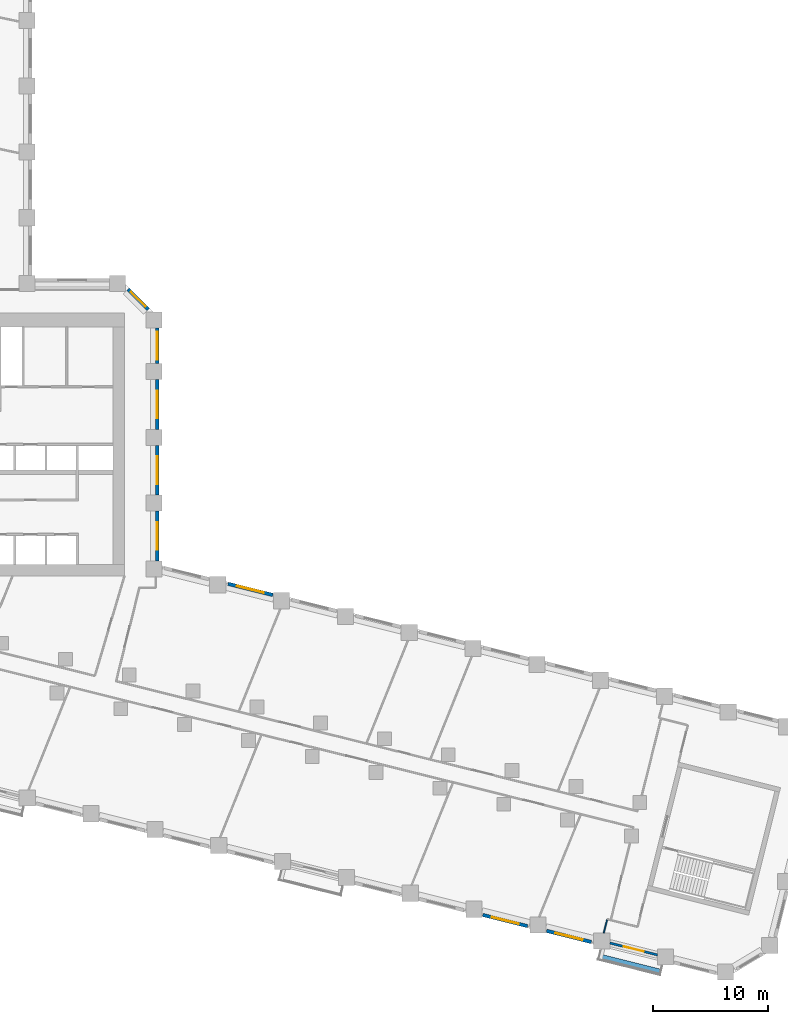
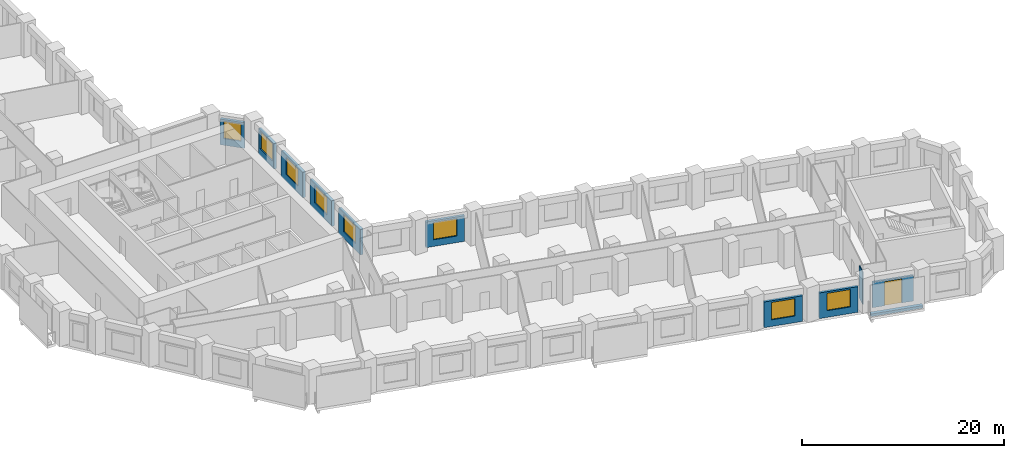
# One storey, part 6 of 11: 11 walls, 8 windows, 1 door, 9 openings.
"""IFC4 building model written with IfcOpenShell, lengths in metres."""

from ifc_helpers import new_model, si_unit, direction, frame, frame_2d, origin, place, context, subcontext, project, spatial, rectangle, extrude, material, layer, layer_set, type_object, element, fill, save


model = new_model("IFC4")

# Units and contexts
model_context = context("Model", 3, precision=1e-05, world=origin(), true_north=direction((0.0, 1.0)))
body_context = subcontext(model_context, "Body", "Model", "MODEL_VIEW")
ifc_project = project(units=[si_unit("LENGTHUNIT", "METRE"), si_unit("AREAUNIT", "SQUARE_METRE"), si_unit("VOLUMEUNIT", "CUBIC_METRE"), si_unit("PLANEANGLEUNIT", "RADIAN"), si_unit("MASSUNIT", "GRAM", prefix="KILO")], contexts=[model_context])

# Site, building, storey
site_placement = place(None, origin())
site = spatial("IfcSite", under=ifc_project, at=site_placement, CompositionType="ELEMENT")
building_placement = place(site_placement, origin())
building = spatial("IfcBuilding", under=site, at=building_placement, Name="Meshkara Civic Tower", CompositionType="ELEMENT")
storey_placement = place(building_placement, frame((0.0, 0.0, 37.199951171875)))
storey = spatial("IfcBuildingStorey", under=building, at=storey_placement, Name="L07", CompositionType="ELEMENT", Elevation=37.199951171875)

# Wall, opening, window
ifc_material_1 = material(Name="Insulated infill panel with bronze anodised aluminium cladding", Category="aluminium")
ifc_layer_1 = layer(ifc_material_1, 0.300048828125)
ifc_layer_set_1 = layer_set([ifc_layer_1], Name="EXTERNAL INFILL WALL 300")
wall_type_1 = type_object("IfcWallType", Name="EXTERNAL INFILL WALL 300", PredefinedType="SOLIDWALL", material=ifc_layer_set_1)
wall_1_placement = place(storey_placement, frame((43.659912109375, 12.4580078125, 0.0), z_axis=(0.0, 0.0, 1.0), x_axis=(-0.970300202301, 0.241903942538, 0.0)))
wall_1 = element("IfcWall", 1, at=wall_1_placement, inside=storey, type_object=wall_type_1, Name="External wall", PredefinedType="SOLIDWALL", context=body_context, shape_type="SweptSolid", body=[
    extrude(rectangle(XDim=4.001708984375, YDim=0.300048828125, at=frame_2d((2.0009765625, 0.0))), origin(), (0.0, 0.0, 1.0), 3.10009765625),
])
opening_1_placement = place(wall_1_placement, frame((0.801025390625, 0.0, 0.800048828125)))
opening_1 = element("IfcOpeningElement", 2, at=opening_1_placement, cuts=wall_1, Name="Opening W7", PredefinedType="OPENING", context=body_context, shape_type="SweptSolid", body=[
    extrude(rectangle(XDim=2.39990234375, YDim=2.10009765625, at=frame_2d((1.199951171875, 1.050048828125))), frame((0.0, 0.159912109375, 0.0), z_axis=(0.0, -1.0, 0.0), x_axis=(1.0, 0.0, 0.0)), (0.0, 0.0, 1.0), 0.320068359375),
])
ifc_material_2 = material(Name="Tinted double glazing", Category="glass")
window_type_1 = type_object("IfcWindowType", Name="WINDOW 2400x2100", PartitioningType="DOUBLE_PANEL_VERTICAL", PredefinedType="WINDOW", material=ifc_material_2)
window_1_placement = place(opening_1_placement, origin())
window_1 = element("IfcWindow", 3, at=window_1_placement, inside=storey, type_object=window_type_1, Name="Window", OverallHeight=2.10009765625, OverallWidth=2.39990234375, PartitioningType="DOUBLE_PANEL_VERTICAL", PredefinedType="WINDOW", context=body_context, shape_type="SweptSolid", body=[
    extrude(rectangle(XDim=2.39990234375, YDim=2.10009765625, at=frame_2d((1.199951171875, 1.050048828125))), frame((0.0, 0.030029296875, 0.0), z_axis=(0.0, -1.0, 0.0), x_axis=(1.0, 0.0, 0.0)), (0.0, 0.0, 1.0), 0.06005859375),
])
fill(opening_1, window_1)

wall_2_placement = place(storey_placement, frame((33.64990234375, 15.4189453125, 0.0), z_axis=(0.0, 0.0, 1.0), x_axis=(0.0, 1.0, 0.0)))
wall_2 = element("IfcWall", 4, at=wall_2_placement, inside=storey, type_object=wall_type_1, Name="External wall", PredefinedType="SOLIDWALL", context=body_context, shape_type="SweptSolid", body=[
    extrude(rectangle(XDim=4.300048828125, YDim=0.300048828125, at=frame_2d((2.14990234375, 0.0))), origin(), (0.0, 0.0, 1.0), 3.10009765625),
])
opening_2_placement = place(wall_2_placement, frame((0.949951171875, 0.0, 0.800048828125)))
opening_2 = element("IfcOpeningElement", 5, at=opening_2_placement, cuts=wall_2, Name="Opening W7", PredefinedType="OPENING", context=body_context, shape_type="SweptSolid", body=[
    extrude(rectangle(XDim=2.39990234375, YDim=2.10009765625, at=frame_2d((1.199951171875, 1.050048828125))), frame((0.0, 0.159912109375, 0.0), z_axis=(0.0, -1.0, 0.0), x_axis=(1.0, 0.0, 0.0)), (0.0, 0.0, 1.0), 0.320068359375),
])
window_2_placement = place(opening_2_placement, origin())
window_2 = element("IfcWindow", 6, at=window_2_placement, inside=storey, type_object=window_type_1, Name="Window", OverallHeight=2.10009765625, OverallWidth=2.39990234375, PartitioningType="DOUBLE_PANEL_VERTICAL", PredefinedType="WINDOW", context=body_context, shape_type="SweptSolid", body=[
    extrude(rectangle(XDim=2.39990234375, YDim=2.10009765625, at=frame_2d((1.199951171875, 1.050048828125))), frame((0.0, 0.030029296875, 0.0), z_axis=(0.0, -1.0, 0.0), x_axis=(1.0, 0.0, 0.0)), (0.0, 0.0, 1.0), 0.06005859375),
])
fill(opening_2, window_2)

wall_3_placement = place(storey_placement, frame((33.64990234375, 21.118896484375, 0.0), z_axis=(0.0, 0.0, 1.0), x_axis=(0.0, 1.0, 0.0)))
wall_3 = element("IfcWall", 7, at=wall_3_placement, inside=storey, type_object=wall_type_1, Name="External wall", PredefinedType="SOLIDWALL", context=body_context, shape_type="SweptSolid", body=[
    extrude(rectangle(XDim=4.300048828125, YDim=0.300048828125, at=frame_2d((2.14990234375, 0.0))), origin(), (0.0, 0.0, 1.0), 3.10009765625),
])
opening_3_placement = place(wall_3_placement, frame((0.949951171875, 0.0, 0.800048828125)))
opening_3 = element("IfcOpeningElement", 8, at=opening_3_placement, cuts=wall_3, Name="Opening W7", PredefinedType="OPENING", context=body_context, shape_type="SweptSolid", body=[
    extrude(rectangle(XDim=2.39990234375, YDim=2.10009765625, at=frame_2d((1.199951171875, 1.050048828125))), frame((0.0, 0.159912109375, 0.0), z_axis=(0.0, -1.0, 0.0), x_axis=(1.0, 0.0, 0.0)), (0.0, 0.0, 1.0), 0.320068359375),
])
window_3_placement = place(opening_3_placement, origin())
window_3 = element("IfcWindow", 9, at=window_3_placement, inside=storey, type_object=window_type_1, Name="Window", OverallHeight=2.10009765625, OverallWidth=2.39990234375, PartitioningType="DOUBLE_PANEL_VERTICAL", PredefinedType="WINDOW", context=body_context, shape_type="SweptSolid", body=[
    extrude(rectangle(XDim=2.39990234375, YDim=2.10009765625, at=frame_2d((1.199951171875, 1.050048828125))), frame((0.0, 0.030029296875, 0.0), z_axis=(0.0, -1.0, 0.0), x_axis=(1.0, 0.0, 0.0)), (0.0, 0.0, 1.0), 0.06005859375),
])
fill(opening_3, window_3)

wall_4_placement = place(storey_placement, frame((33.64990234375, 26.819091796875, 0.0), z_axis=(0.0, 0.0, 1.0), x_axis=(0.0, 1.0, 0.0)))
wall_4 = element("IfcWall", 10, at=wall_4_placement, inside=storey, type_object=wall_type_1, Name="External wall", PredefinedType="SOLIDWALL", context=body_context, shape_type="SweptSolid", body=[
    extrude(rectangle(XDim=4.2998046875, YDim=0.300048828125, at=frame_2d((2.14990234375, 0.0))), origin(), (0.0, 0.0, 1.0), 3.10009765625),
])
opening_4_placement = place(wall_4_placement, frame((0.949951171875, 0.0, 0.800048828125)))
opening_4 = element("IfcOpeningElement", 11, at=opening_4_placement, cuts=wall_4, Name="Opening W7", PredefinedType="OPENING", context=body_context, shape_type="SweptSolid", body=[
    extrude(rectangle(XDim=2.39990234375, YDim=2.10009765625, at=frame_2d((1.199951171875, 1.050048828125))), frame((0.0, 0.159912109375, 0.0), z_axis=(0.0, -1.0, 0.0), x_axis=(1.0, 0.0, 0.0)), (0.0, 0.0, 1.0), 0.320068359375),
])
window_4_placement = place(opening_4_placement, origin())
window_4 = element("IfcWindow", 12, at=window_4_placement, inside=storey, type_object=window_type_1, Name="Window", OverallHeight=2.10009765625, OverallWidth=2.39990234375, PartitioningType="DOUBLE_PANEL_VERTICAL", PredefinedType="WINDOW", context=body_context, shape_type="SweptSolid", body=[
    extrude(rectangle(XDim=2.39990234375, YDim=2.10009765625, at=frame_2d((1.199951171875, 1.050048828125))), frame((0.0, 0.030029296875, 0.0), z_axis=(0.0, -1.0, 0.0), x_axis=(1.0, 0.0, 0.0)), (0.0, 0.0, 1.0), 0.06005859375),
])
fill(opening_4, window_4)

wall_5_placement = place(storey_placement, frame((33.64990234375, 32.51904296875, 0.0), z_axis=(0.0, 0.0, 1.0), x_axis=(0.0, 1.0, 0.0)))
wall_5 = element("IfcWall", 13, at=wall_5_placement, inside=storey, type_object=wall_type_1, Name="External wall", PredefinedType="SOLIDWALL", context=body_context, shape_type="SweptSolid", body=[
    extrude(rectangle(XDim=3.074951171875, YDim=0.300048828125, at=frame_2d((1.53759765625, 0.0))), origin(), (0.0, 0.0, 1.0), 3.10009765625),
])
opening_5_placement = place(wall_5_placement, frame((0.337890625, 0.0, 0.800048828125)))
opening_5 = element("IfcOpeningElement", 14, at=opening_5_placement, cuts=wall_5, Name="Opening W7", PredefinedType="OPENING", context=body_context, shape_type="SweptSolid", body=[
    extrude(rectangle(XDim=2.39990234375, YDim=2.10009765625, at=frame_2d((1.199951171875, 1.050048828125))), frame((0.0, 0.159912109375, 0.0), z_axis=(0.0, -1.0, 0.0), x_axis=(1.0, 0.0, 0.0)), (0.0, 0.0, 1.0), 0.320068359375),
])
window_5_placement = place(opening_5_placement, origin())
window_5 = element("IfcWindow", 15, at=window_5_placement, inside=storey, type_object=window_type_1, Name="Window", OverallHeight=2.10009765625, OverallWidth=2.39990234375, PartitioningType="DOUBLE_PANEL_VERTICAL", PredefinedType="WINDOW", context=body_context, shape_type="SweptSolid", body=[
    extrude(rectangle(XDim=2.39990234375, YDim=2.10009765625, at=frame_2d((1.199951171875, 1.050048828125))), frame((0.0, 0.030029296875, 0.0), z_axis=(0.0, -1.0, 0.0), x_axis=(1.0, 0.0, 0.0)), (0.0, 0.0, 1.0), 0.06005859375),
])
fill(opening_5, window_5)

wall_6_placement = place(storey_placement, frame((32.862060546875, 37.2060546875, 0.0), z_axis=(0.0, 0.0, 1.0), x_axis=(-0.707155935319, 0.707057623637, 0.0)))
wall_6 = element("IfcWall", 16, at=wall_6_placement, inside=storey, type_object=wall_type_1, Name="External wall", PredefinedType="SOLIDWALL", context=body_context, shape_type="SweptSolid", body=[
    extrude(rectangle(XDim=2.4833984375, YDim=0.300048828125, at=frame_2d((1.24169921875, 0.0))), origin(), (0.0, 0.0, 1.0), 3.10009765625),
])
opening_6_placement = place(wall_6_placement, frame((0.342041015625, 0.0, 0.800048828125)))
opening_6 = element("IfcOpeningElement", 17, at=opening_6_placement, cuts=wall_6, Name="Opening W9", PredefinedType="OPENING", context=body_context, shape_type="SweptSolid", body=[
    extrude(rectangle(XDim=1.800048828125, YDim=2.10009765625, at=frame_2d((0.89990234375, 1.050048828125))), frame((0.0, 0.159912109375, 0.0), z_axis=(0.0, -1.0, 0.0), x_axis=(1.0, 0.0, 0.0)), (0.0, 0.0, 1.0), 0.320068359375),
])
ifc_material_3 = material(Name="Tinted double glazing", Category="glass")
window_type_2 = type_object("IfcWindowType", Name="WINDOW 1800x2100", PartitioningType="DOUBLE_PANEL_VERTICAL", PredefinedType="WINDOW", material=ifc_material_3)
window_6_placement = place(opening_6_placement, origin())
window_6 = element("IfcWindow", 18, at=window_6_placement, inside=storey, type_object=window_type_2, Name="Window", OverallHeight=2.10009765625, OverallWidth=1.800048828125, PartitioningType="DOUBLE_PANEL_VERTICAL", PredefinedType="WINDOW", context=body_context, shape_type="SweptSolid", body=[
    extrude(rectangle(XDim=1.800048828125, YDim=2.10009765625, at=frame_2d((0.89990234375, 1.050048828125))), frame((0.0, 0.030029296875, 0.0), z_axis=(0.0, -1.0, 0.0), x_axis=(1.0, 0.0, 0.0)), (0.0, 0.0, 1.0), 0.06005859375),
])
fill(opening_6, window_6)

wall_7_placement = place(storey_placement, frame((61.847900390625, -15.26611328125, 0.0), z_axis=(0.0, 0.0, 1.0), x_axis=(0.970318089187, -0.241832185196, 0.0)))
wall_7 = element("IfcWall", 19, at=wall_7_placement, inside=storey, type_object=wall_type_1, Name="External wall", PredefinedType="SOLIDWALL", context=body_context, shape_type="SweptSolid", body=[
    extrude(rectangle(XDim=4.001953125, YDim=0.300048828125, at=frame_2d((2.0009765625, 0.0))), origin(), (0.0, 0.0, 1.0), 3.10009765625),
])
opening_7_placement = place(wall_7_placement, frame((0.801025390625, 0.0, 0.800048828125)))
opening_7 = element("IfcOpeningElement", 20, at=opening_7_placement, cuts=wall_7, Name="Opening W7", PredefinedType="OPENING", context=body_context, shape_type="SweptSolid", body=[
    extrude(rectangle(XDim=2.39990234375, YDim=2.10009765625, at=frame_2d((1.199951171875, 1.050048828125))), frame((0.0, 0.159912109375, 0.0), z_axis=(0.0, -1.0, 0.0), x_axis=(1.0, 0.0, 0.0)), (0.0, 0.0, 1.0), 0.320068359375),
])
window_7_placement = place(opening_7_placement, origin())
window_7 = element("IfcWindow", 21, at=window_7_placement, inside=storey, type_object=window_type_1, Name="Window", OverallHeight=2.10009765625, OverallWidth=2.39990234375, PartitioningType="DOUBLE_PANEL_VERTICAL", PredefinedType="WINDOW", context=body_context, shape_type="SweptSolid", body=[
    extrude(rectangle(XDim=2.39990234375, YDim=2.10009765625, at=frame_2d((1.199951171875, 1.050048828125))), frame((0.0, 0.030029296875, 0.0), z_axis=(0.0, -1.0, 0.0), x_axis=(1.0, 0.0, 0.0)), (0.0, 0.0, 1.0), 0.06005859375),
])
fill(opening_7, window_7)

wall_8_placement = place(storey_placement, frame((67.3779296875, -16.64404296875, 0.0), z_axis=(0.0, 0.0, 1.0), x_axis=(0.970260773365, -0.242062040951, 0.0)))
wall_8 = element("IfcWall", 22, at=wall_8_placement, inside=storey, type_object=wall_type_1, Name="External wall", PredefinedType="SOLIDWALL", context=body_context, shape_type="SweptSolid", body=[
    extrude(rectangle(XDim=4.003173828125, YDim=0.300048828125, at=frame_2d((2.00146484375, 0.0))), origin(), (0.0, 0.0, 1.0), 3.10009765625),
])
opening_8_placement = place(wall_8_placement, frame((0.802001953125, 0.0, 0.800048828125)))
opening_8 = element("IfcOpeningElement", 23, at=opening_8_placement, cuts=wall_8, Name="Opening W7", PredefinedType="OPENING", context=body_context, shape_type="SweptSolid", body=[
    extrude(rectangle(XDim=2.39990234375, YDim=2.10009765625, at=frame_2d((1.199951171875, 1.050048828125))), frame((0.0, 0.159912109375, 0.0), z_axis=(0.0, -1.0, 0.0), x_axis=(1.0, 0.0, 0.0)), (0.0, 0.0, 1.0), 0.320068359375),
])
window_8_placement = place(opening_8_placement, origin())
window_8 = element("IfcWindow", 24, at=window_8_placement, inside=storey, type_object=window_type_1, Name="Window", OverallHeight=2.10009765625, OverallWidth=2.39990234375, PartitioningType="DOUBLE_PANEL_VERTICAL", PredefinedType="WINDOW", context=body_context, shape_type="SweptSolid", body=[
    extrude(rectangle(XDim=2.39990234375, YDim=2.10009765625, at=frame_2d((1.199951171875, 1.050048828125))), frame((0.0, 0.030029296875, 0.0), z_axis=(0.0, -1.0, 0.0), x_axis=(1.0, 0.0, 0.0)), (0.0, 0.0, 1.0), 0.06005859375),
])
fill(opening_8, window_8)

# Wall, opening, door
ifc_material_4 = material(Name="Insulated infill panel with bronze anodised aluminium cladding", Category="aluminium")
ifc_layer_2 = layer(ifc_material_4, 0.199951171875)
ifc_layer_set_2 = layer_set([ifc_layer_2], Name="LOGGIA BACK WALL 200")
wall_type_2 = type_object("IfcWallType", Name="LOGGIA BACK WALL 200", PredefinedType="SOLIDWALL", material=ifc_layer_set_2)
wall_9_placement = place(storey_placement, frame((72.85791015625, -17.701904296875, 0.0), z_axis=(0.0, 0.0, 1.0), x_axis=(0.970347921137, -0.241712457159, 0.0)))
wall_9 = element("IfcWall", 25, at=wall_9_placement, inside=storey, type_object=wall_type_2, Name="Loggia wall", PredefinedType="SOLIDWALL", context=body_context, shape_type="SweptSolid", body=[
    extrude(rectangle(XDim=4.25732421875, YDim=0.199951171875, at=frame_2d((2.128662109375, 0.0))), origin(), (0.0, 0.0, 1.0), 3.10009765625),
])
opening_9_placement = place(wall_9_placement, frame((1.22802734375, 0.0, 0.0)))
opening_9 = element("IfcOpeningElement", 26, at=opening_9_placement, cuts=wall_9, Name="Opening L07-L006", PredefinedType="OPENING", context=body_context, shape_type="SweptSolid", body=[
    extrude(rectangle(XDim=1.800048828125, YDim=2.89990234375, at=frame_2d((0.89990234375, 1.449951171875))), frame((0.0, 0.10986328125, 0.0), z_axis=(0.0, -1.0, 0.0), x_axis=(1.0, 0.0, 0.0)), (0.0, 0.0, 1.0), 0.219970703125),
])
ifc_material_5 = material(Name="Tinted double glazing", Category="glass")
door_type = type_object("IfcDoorType", Name="LOGGIA DOOR 1800x2900", OperationType="DOUBLE_DOOR_SINGLE_SWING", PredefinedType="DOOR", material=ifc_material_5)
door_placement = place(opening_9_placement, origin())
door = element("IfcDoor", 27, at=door_placement, inside=storey, type_object=door_type, Name="L07-L006", OperationType="DOUBLE_DOOR_SINGLE_SWING", OverallHeight=2.89990234375, OverallWidth=1.800048828125, PredefinedType="DOOR", context=body_context, shape_type="SweptSolid", body=[
    extrude(rectangle(XDim=1.800048828125, YDim=2.89990234375, at=frame_2d((0.89990234375, 1.449951171875))), frame((0.0, 0.02490234375, 0.0), z_axis=(0.0, -1.0, 0.0), x_axis=(1.0, 0.0, 0.0)), (0.0, 0.0, 1.0), 0.050048828125),
])
fill(opening_9, door)

# Walls
ifc_material_6 = material(Name="Concrete C40", Category="concrete")
ifc_layer_3 = layer(ifc_material_6, 0.39990234375)
ifc_layer_set_3 = layer_set([ifc_layer_3], Name="PLANTER TRAY")
wall_type_3 = type_object("IfcWallType", Name="PLANTER TRAY", PredefinedType="SOLIDWALL", material=ifc_layer_set_3)
wall_10_placement = place(storey_placement, frame((72.0009765625, -18.85888671875, 0.0), z_axis=(0.0, 0.0, 1.0), x_axis=(0.970321749462, -0.241817498376, 0.0)))
element("IfcWall", 28, at=wall_10_placement, inside=storey, type_object=wall_type_3, Name="Planter", PredefinedType="SOLIDWALL", context=body_context, shape_type="SweptSolid", body=[
    extrude(rectangle(XDim=5.360107421875, YDim=0.39990234375, at=frame_2d((2.68017578125, 0.0))), origin(), (0.0, 0.0, 1.0), 0.300048828125),
])
ifc_material_7 = material(Name="Partition 100")
ifc_layer_4 = layer(ifc_material_7, 0.10009765625)
ifc_layer_set_4 = layer_set([ifc_layer_4], Name="Partition 100")
wall_type_4 = type_object("IfcWallType", Name="Partition 100", PredefinedType="PARTITIONING", material=ifc_layer_set_4)
wall_11_placement = place(storey_placement, frame((72.3330078125, -16.826904296875, 0.0), z_axis=(0.0, 0.0, 1.0), x_axis=(0.241693721233, 0.97035258804, 0.0)))
element("IfcWall", 29, at=wall_11_placement, inside=storey, type_object=wall_type_4, Name="L07-W055", PredefinedType="PARTITIONING", context=body_context, shape_type="SweptSolid", body=[
    extrude(rectangle(XDim=1.228271484375, YDim=0.10009765625, at=frame_2d((0.6142578125, 0.0))), origin(), (0.0, 0.0, 1.0), 3.900146484375),
])

save(model, "model.ifc")
